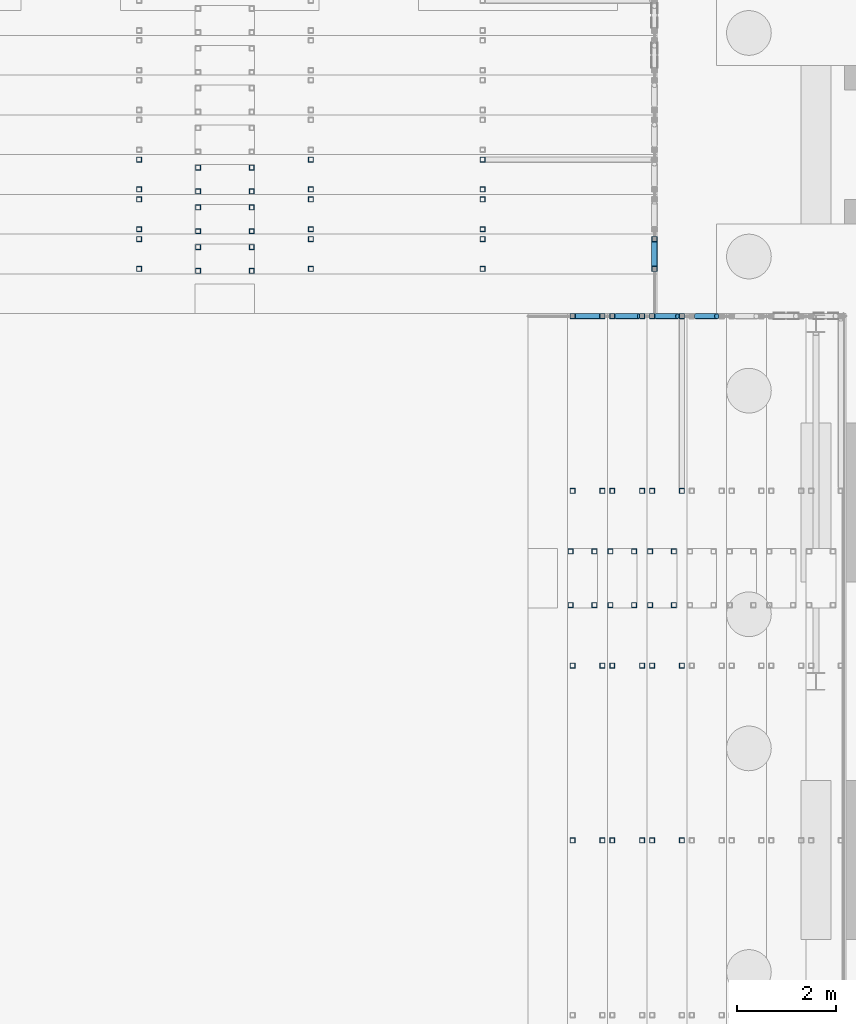
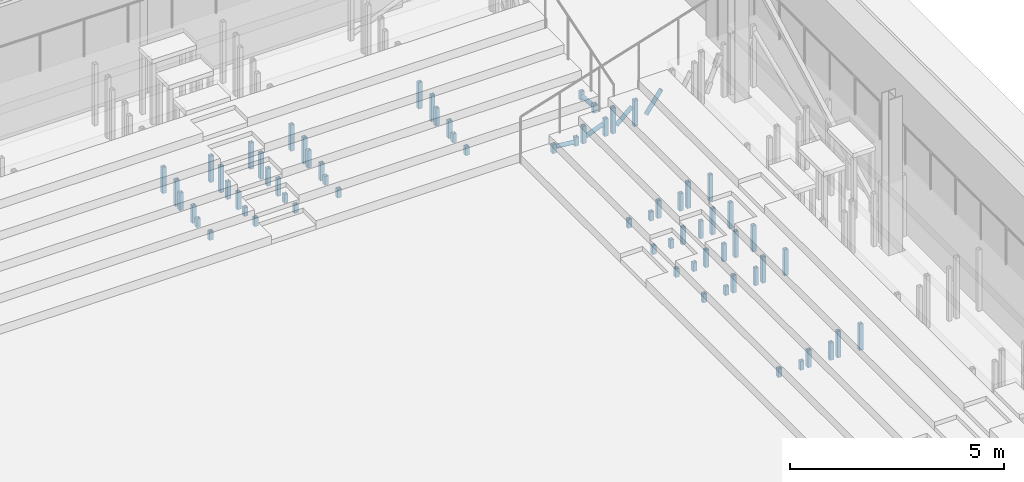
# One storey, part 70 of 139: 73 members.
"""IFC4 building model written with IfcOpenShell, lengths in metres."""

from ifc_helpers import new_model, si_unit, direction, frame, origin, origin_2d, place, context, subcontext, project, spatial, hollow_rectangle, hollow_circle, extrude, material, material_profile, profile_set, type_object, element, save


model = new_model("IFC4")

# Units and contexts
model_context = context("Model", 3, precision=1e-05, world=origin(), true_north=direction((0.0, 1.0)))
body_context = subcontext(model_context, "Body", "Model", "MODEL_VIEW")
ifc_project = project(units=[si_unit("LENGTHUNIT", "METRE"), si_unit("AREAUNIT", "SQUARE_METRE"), si_unit("VOLUMEUNIT", "CUBIC_METRE"), si_unit("PLANEANGLEUNIT", "RADIAN"), si_unit("MASSUNIT", "GRAM", prefix="KILO")], contexts=[model_context])

# Site, building, storey
site_placement = place(None, origin())
site = spatial("IfcSite", under=ifc_project, at=site_placement, CompositionType="ELEMENT")
building_placement = place(site_placement, origin())
building = spatial("IfcBuilding", under=site, at=building_placement, Name="Verrick Yard Athletic Hall", CompositionType="ELEMENT")
storey_placement = place(building_placement, origin())
storey = spatial("IfcBuildingStorey", under=building, at=storey_placement, Name="L00", CompositionType="ELEMENT", Elevation=0.0)

# Members
ifc_material = material(Name="Structural steel HSS Class C 350W (CSA G40.20/G40.21)", Category="steel")
ifc_material_profile_1 = material_profile(ifc_material, hollow_circle(Radius=0.05712890625, WallThickness=0.00634765625, at=origin_2d()), Name="HSS114x6.4")
ifc_profile_set_1 = profile_set([ifc_material_profile_1], Name="Structural steel HSS Class C 350W (CSA G40.20/G40.21)")
member_type_1 = type_object("IfcMemberType", Name="HB roof brace HSS114x6.4", PredefinedType="BRACE", material=ifc_profile_set_1)
for number, where, z_axis, x_axis, name in (
    (1, (166.34912109375, 94.756591796875, 0.1494140625), (0.0, 0.995007502445, -0.099800150697), (-1.0, 0.0, 0.0), "HB-BRS-RSA1-z2"),
    (2, (164.756591796875, 93.749267578125, 0.1494140625), (0.995007502445, 0.0, -0.099800150697), (0.0, 1.0, 0.0), "HB-BRS-RSA2-z2"),
):
    element("IfcMember", number, at=place(storey_placement, frame(where, z_axis=z_axis, x_axis=x_axis)), inside=storey, type_object=member_type_1, Name=name, PredefinedType="BRACE", context=body_context, shape_type="SweptSolid", body=[
        extrude(hollow_circle(Radius=0.05712890625, WallThickness=0.00634765625, at=origin_2d()), origin(), (0.0, 0.0, 1.0), 0.4892578125),
    ])
member_1_placement = place(storey_placement, frame((165.572021484375, 93.749267578125, 0.158447265625), z_axis=(0.927927248066, 0.0, 0.372761347643), x_axis=(0.0, 1.0, 0.0)))
element("IfcMember", 3, at=member_1_placement, inside=storey, type_object=member_type_1, Name="HB-BRS-RSA2-z3", PredefinedType="BRACE", context=body_context, shape_type="SweptSolid", body=[
    extrude(hollow_circle(Radius=0.05712890625, WallThickness=0.00634765625, at=origin_2d()), origin(), (0.0, 0.0, 1.0), 0.4912109375),
])
member_2_placement = place(storey_placement, frame((166.38916015625, 93.749267578125, 0.1845703125), z_axis=(0.74207506315, 0.0, 0.670316791264), x_axis=(0.0, 1.0, 0.0)))
element("IfcMember", 4, at=member_2_placement, inside=storey, type_object=member_type_1, Name="HB-BRS-RSA2-z4", PredefinedType="BRACE", context=body_context, shape_type="SweptSolid", body=[
    extrude(hollow_circle(Radius=0.05712890625, WallThickness=0.00634765625, at=origin_2d()), origin(), (0.0, 0.0, 1.0), 0.568115234375),
])
member_3_placement = place(storey_placement, frame((167.197265625, 93.749267578125, 0.21533203125), z_axis=(0.579915574344, 0.0, 0.814676577934), x_axis=(0.0, 1.0, 0.0)))
element("IfcMember", 5, at=member_3_placement, inside=storey, type_object=member_type_1, Name="HB-BRS-RSA2-z5", PredefinedType="BRACE", context=body_context, shape_type="SweptSolid", body=[
    extrude(hollow_circle(Radius=0.05712890625, WallThickness=0.00634765625, at=origin_2d()), origin(), (0.0, 0.0, 1.0), 0.69873046875),
])
ifc_material_profile_2 = material_profile(ifc_material, hollow_rectangle(XDim=0.1015625, YDim=0.1015625, WallThickness=0.00634765625, at=origin_2d()), Name="HSS102x102x6.4")
ifc_profile_set_2 = profile_set([ifc_material_profile_2], Name="Structural steel HSS Class C 350W (CSA G40.20/G40.21)")
member_type_2 = type_object("IfcMemberType", Name="HB seating post HSS102x102x6.4", PredefinedType="POST", material=ifc_profile_set_2)
for number, where, z_axis, x_axis, name in (
    (6, (157.163818359375, 94.659912109375, 0.0), (0.0, 0.0, 1.0), (0.0, 1.0, 0.0), "HB-SP-RSA1-A2S2a"),
    (7, (158.24365234375, 94.659912109375, 0.0), (0.0, 0.0, 1.0), (0.0, 1.0, 0.0), "HB-SP-RSA1-A2S2b"),
    (8, (157.163818359375, 95.139892578125, 0.0), (0.0, 0.0, 1.0), (0.0, 1.0, 0.0), "HB-SP-RSA1-A2S2c"),
    (9, (158.24365234375, 95.139892578125, 0.0), (0.0, 0.0, 1.0), (0.0, 1.0, 0.0), "HB-SP-RSA1-A2S2d"),
    (10, (155.974609375, 94.699951171875, 0.0), (0.0, 0.0, 1.0), (0.0, 1.0, 0.0), "HB-SP-RSA1-T2f10"),
    (11, (159.432861328125, 94.699951171875, 0.0), (0.0, 0.0, 1.0), (0.0, 1.0, 0.0), "HB-SP-RSA1-T2f11"),
    (12, (162.89111328125, 94.699951171875, 0.0), (0.0, 0.0, 1.0), (0.0, 1.0, 0.0), "HB-SP-RSA1-T2f12"),
    (13, (166.34912109375, 94.699951171875, 0.0), (0.0, 0.0, 1.0), (0.0, 1.0, 0.0), "HB-SP-RSA1-T2f13"),
    (14, (155.974609375, 95.300048828125, 0.0), (0.0, 0.0, 1.0), (0.0, 1.0, 0.0), "HB-SP-RSA1-T2b10"),
    (15, (159.432861328125, 95.300048828125, 0.0), (0.0, 0.0, 1.0), (0.0, 1.0, 0.0), "HB-SP-RSA1-T2b11"),
    (16, (162.89111328125, 95.300048828125, 0.0), (0.0, 0.0, 1.0), (0.0, 1.0, 0.0), "HB-SP-RSA1-T2b12"),
    (17, (166.34912109375, 95.300048828125, 0.0), (0.0, 0.0, 1.0), (0.0, 1.0, 0.0), "HB-SP-RSA1-T2b13"),
):
    element("IfcMember", number, at=place(storey_placement, frame(where, z_axis=z_axis, x_axis=x_axis)), inside=storey, type_object=member_type_2, Name=name, PredefinedType="POST", context=body_context, shape_type="SweptSolid", body=[
        extrude(hollow_rectangle(XDim=0.1015625, YDim=0.1015625, WallThickness=0.00634765625, at=origin_2d()), origin(), (0.0, 0.0, 1.0), 0.25),
    ])
for number, where, z_axis, x_axis, name in (
    (18, (157.163818359375, 95.4599609375, 0.0), (0.0, 0.0, 1.0), (0.0, 1.0, 0.0), "HB-SP-RSA1-A2S3a"),
    (19, (158.24365234375, 95.4599609375, 0.0), (0.0, 0.0, 1.0), (0.0, 1.0, 0.0), "HB-SP-RSA1-A2S3b"),
    (20, (157.163818359375, 95.93994140625, 0.0), (0.0, 0.0, 1.0), (0.0, 1.0, 0.0), "HB-SP-RSA1-A2S3c"),
    (21, (158.24365234375, 95.93994140625, 0.0), (0.0, 0.0, 1.0), (0.0, 1.0, 0.0), "HB-SP-RSA1-A2S3d"),
    (22, (155.974609375, 95.5, 0.0), (0.0, 0.0, 1.0), (0.0, 1.0, 0.0), "HB-SP-RSA1-T3f10"),
    (23, (159.432861328125, 95.5, 0.0), (0.0, 0.0, 1.0), (0.0, 1.0, 0.0), "HB-SP-RSA1-T3f11"),
    (24, (162.89111328125, 95.5, 0.0), (0.0, 0.0, 1.0), (0.0, 1.0, 0.0), "HB-SP-RSA1-T3f12"),
    (25, (155.974609375, 96.10009765625, 0.0), (0.0, 0.0, 1.0), (0.0, 1.0, 0.0), "HB-SP-RSA1-T3b10"),
    (26, (159.432861328125, 96.10009765625, 0.0), (0.0, 0.0, 1.0), (0.0, 1.0, 0.0), "HB-SP-RSA1-T3b11"),
    (27, (162.89111328125, 96.10009765625, 0.0), (0.0, 0.0, 1.0), (0.0, 1.0, 0.0), "HB-SP-RSA1-T3b12"),
):
    element("IfcMember", number, at=place(storey_placement, frame(where, z_axis=z_axis, x_axis=x_axis)), inside=storey, type_object=member_type_2, Name=name, PredefinedType="POST", context=body_context, shape_type="SweptSolid", body=[
        extrude(hollow_rectangle(XDim=0.1015625, YDim=0.1015625, WallThickness=0.00634765625, at=origin_2d()), origin(), (0.0, 0.0, 1.0), 0.5),
    ])
for number, where, z_axis, x_axis, name in (
    (28, (157.163818359375, 96.260009765625, 0.0), (0.0, 0.0, 1.0), (0.0, 1.0, 0.0), "HB-SP-RSA1-A2S4a"),
    (29, (158.24365234375, 96.260009765625, 0.0), (0.0, 0.0, 1.0), (0.0, 1.0, 0.0), "HB-SP-RSA1-A2S4b"),
    (30, (157.163818359375, 96.739990234375, 0.0), (0.0, 0.0, 1.0), (0.0, 1.0, 0.0), "HB-SP-RSA1-A2S4c"),
    (31, (158.24365234375, 96.739990234375, 0.0), (0.0, 0.0, 1.0), (0.0, 1.0, 0.0), "HB-SP-RSA1-A2S4d"),
    (32, (155.974609375, 96.300048828125, 0.0), (0.0, 0.0, 1.0), (0.0, 1.0, 0.0), "HB-SP-RSA1-T4f10"),
    (33, (159.432861328125, 96.300048828125, 0.0), (0.0, 0.0, 1.0), (0.0, 1.0, 0.0), "HB-SP-RSA1-T4f11"),
    (34, (162.89111328125, 96.300048828125, 0.0), (0.0, 0.0, 1.0), (0.0, 1.0, 0.0), "HB-SP-RSA1-T4f12"),
    (35, (155.974609375, 96.89990234375, 0.0), (0.0, 0.0, 1.0), (0.0, 1.0, 0.0), "HB-SP-RSA1-T4b10"),
    (36, (159.432861328125, 96.89990234375, 0.0), (0.0, 0.0, 1.0), (0.0, 1.0, 0.0), "HB-SP-RSA1-T4b11"),
    (37, (162.89111328125, 96.89990234375, 0.0), (0.0, 0.0, 1.0), (0.0, 1.0, 0.0), "HB-SP-RSA1-T4b12"),
):
    element("IfcMember", number, at=place(storey_placement, frame(where, z_axis=z_axis, x_axis=x_axis)), inside=storey, type_object=member_type_2, Name=name, PredefinedType="POST", context=body_context, shape_type="SweptSolid", body=[
        extrude(hollow_rectangle(XDim=0.1015625, YDim=0.1015625, WallThickness=0.00634765625, at=origin_2d()), origin(), (0.0, 0.0, 1.0), 0.75),
    ])
for number, where, z_axis, x_axis, name in (
    (38, (164.659912109375, 87.9345703125, 0.0), (0.0, 0.0, 1.0), (0.0, 1.0, 0.0), "HB-SP-RSA2-A2S2a"),
    (39, (164.659912109375, 89.0146484375, 0.0), (0.0, 0.0, 1.0), (0.0, 1.0, 0.0), "HB-SP-RSA2-A2S2b"),
    (40, (165.139892578125, 87.9345703125, 0.0), (0.0, 0.0, 1.0), (0.0, 1.0, 0.0), "HB-SP-RSA2-A2S2c"),
    (41, (165.139892578125, 89.0146484375, 0.0), (0.0, 0.0, 1.0), (0.0, 1.0, 0.0), "HB-SP-RSA2-A2S2d"),
    (42, (164.699951171875, 83.199951171875, 0.0), (0.0, 0.0, 1.0), (0.0, 1.0, 0.0), "HB-SP-RSA2-T2f4"),
    (43, (164.699951171875, 86.71630859375, 0.0), (0.0, 0.0, 1.0), (0.0, 1.0, 0.0), "HB-SP-RSA2-T2f5"),
    (44, (164.699951171875, 90.23291015625, 0.0), (0.0, 0.0, 1.0), (0.0, 1.0, 0.0), "HB-SP-RSA2-T2f6"),
    (45, (164.699951171875, 93.749267578125, 0.0), (0.0, 0.0, 1.0), (0.0, 1.0, 0.0), "HB-SP-RSA2-T2f7"),
    (46, (165.300048828125, 83.199951171875, 0.0), (0.0, 0.0, 1.0), (0.0, 1.0, 0.0), "HB-SP-RSA2-T2b4"),
    (47, (165.300048828125, 86.71630859375, 0.0), (0.0, 0.0, 1.0), (0.0, 1.0, 0.0), "HB-SP-RSA2-T2b5"),
    (48, (165.300048828125, 90.23291015625, 0.0), (0.0, 0.0, 1.0), (0.0, 1.0, 0.0), "HB-SP-RSA2-T2b6"),
    (49, (165.300048828125, 93.749267578125, 0.0), (0.0, 0.0, 1.0), (0.0, 1.0, 0.0), "HB-SP-RSA2-T2b7"),
):
    element("IfcMember", number, at=place(storey_placement, frame(where, z_axis=z_axis, x_axis=x_axis)), inside=storey, type_object=member_type_2, Name=name, PredefinedType="POST", context=body_context, shape_type="SweptSolid", body=[
        extrude(hollow_rectangle(XDim=0.1015625, YDim=0.1015625, WallThickness=0.00634765625, at=origin_2d()), origin(), (0.0, 0.0, 1.0), 0.25),
    ])
for number, where, z_axis, x_axis, name in (
    (50, (165.4599609375, 87.9345703125, 0.0), (0.0, 0.0, 1.0), (0.0, 1.0, 0.0), "HB-SP-RSA2-A2S3a"),
    (51, (165.4599609375, 89.0146484375, 0.0), (0.0, 0.0, 1.0), (0.0, 1.0, 0.0), "HB-SP-RSA2-A2S3b"),
    (52, (165.93994140625, 87.9345703125, 0.0), (0.0, 0.0, 1.0), (0.0, 1.0, 0.0), "HB-SP-RSA2-A2S3c"),
    (53, (165.93994140625, 89.0146484375, 0.0), (0.0, 0.0, 1.0), (0.0, 1.0, 0.0), "HB-SP-RSA2-A2S3d"),
    (54, (165.5, 83.199951171875, 0.0), (0.0, 0.0, 1.0), (0.0, 1.0, 0.0), "HB-SP-RSA2-T3f4"),
    (55, (165.5, 86.71630859375, 0.0), (0.0, 0.0, 1.0), (0.0, 1.0, 0.0), "HB-SP-RSA2-T3f5"),
    (56, (165.5, 90.23291015625, 0.0), (0.0, 0.0, 1.0), (0.0, 1.0, 0.0), "HB-SP-RSA2-T3f6"),
    (57, (165.5, 93.749267578125, 0.0), (0.0, 0.0, 1.0), (0.0, 1.0, 0.0), "HB-SP-RSA2-T3f7"),
    (58, (166.10009765625, 83.199951171875, 0.0), (0.0, 0.0, 1.0), (0.0, 1.0, 0.0), "HB-SP-RSA2-T3b4"),
    (59, (166.10009765625, 86.71630859375, 0.0), (0.0, 0.0, 1.0), (0.0, 1.0, 0.0), "HB-SP-RSA2-T3b5"),
    (60, (166.10009765625, 90.23291015625, 0.0), (0.0, 0.0, 1.0), (0.0, 1.0, 0.0), "HB-SP-RSA2-T3b6"),
    (61, (166.10009765625, 93.749267578125, 0.0), (0.0, 0.0, 1.0), (0.0, 1.0, 0.0), "HB-SP-RSA2-T3b7"),
):
    element("IfcMember", number, at=place(storey_placement, frame(where, z_axis=z_axis, x_axis=x_axis)), inside=storey, type_object=member_type_2, Name=name, PredefinedType="POST", context=body_context, shape_type="SweptSolid", body=[
        extrude(hollow_rectangle(XDim=0.1015625, YDim=0.1015625, WallThickness=0.00634765625, at=origin_2d()), origin(), (0.0, 0.0, 1.0), 0.5),
    ])
for number, where, z_axis, x_axis, name in (
    (62, (166.260009765625, 87.9345703125, 0.0), (0.0, 0.0, 1.0), (0.0, 1.0, 0.0), "HB-SP-RSA2-A2S4a"),
    (63, (166.260009765625, 89.0146484375, 0.0), (0.0, 0.0, 1.0), (0.0, 1.0, 0.0), "HB-SP-RSA2-A2S4b"),
    (64, (166.739990234375, 87.9345703125, 0.0), (0.0, 0.0, 1.0), (0.0, 1.0, 0.0), "HB-SP-RSA2-A2S4c"),
    (65, (166.739990234375, 89.0146484375, 0.0), (0.0, 0.0, 1.0), (0.0, 1.0, 0.0), "HB-SP-RSA2-A2S4d"),
    (66, (166.300048828125, 83.199951171875, 0.0), (0.0, 0.0, 1.0), (0.0, 1.0, 0.0), "HB-SP-RSA2-T4f4"),
    (67, (166.300048828125, 86.71630859375, 0.0), (0.0, 0.0, 1.0), (0.0, 1.0, 0.0), "HB-SP-RSA2-T4f5"),
    (68, (166.300048828125, 90.23291015625, 0.0), (0.0, 0.0, 1.0), (0.0, 1.0, 0.0), "HB-SP-RSA2-T4f6"),
    (69, (166.300048828125, 93.749267578125, 0.0), (0.0, 0.0, 1.0), (0.0, 1.0, 0.0), "HB-SP-RSA2-T4f7"),
    (70, (166.89990234375, 83.199951171875, 0.0), (0.0, 0.0, 1.0), (0.0, 1.0, 0.0), "HB-SP-RSA2-T4b4"),
    (71, (166.89990234375, 86.71630859375, 0.0), (0.0, 0.0, 1.0), (0.0, 1.0, 0.0), "HB-SP-RSA2-T4b5"),
    (72, (166.89990234375, 90.23291015625, 0.0), (0.0, 0.0, 1.0), (0.0, 1.0, 0.0), "HB-SP-RSA2-T4b6"),
    (73, (166.89990234375, 93.749267578125, 0.0), (0.0, 0.0, 1.0), (0.0, 1.0, 0.0), "HB-SP-RSA2-T4b7"),
):
    element("IfcMember", number, at=place(storey_placement, frame(where, z_axis=z_axis, x_axis=x_axis)), inside=storey, type_object=member_type_2, Name=name, PredefinedType="POST", context=body_context, shape_type="SweptSolid", body=[
        extrude(hollow_rectangle(XDim=0.1015625, YDim=0.1015625, WallThickness=0.00634765625, at=origin_2d()), origin(), (0.0, 0.0, 1.0), 0.75),
    ])

save(model, "model.ifc")
